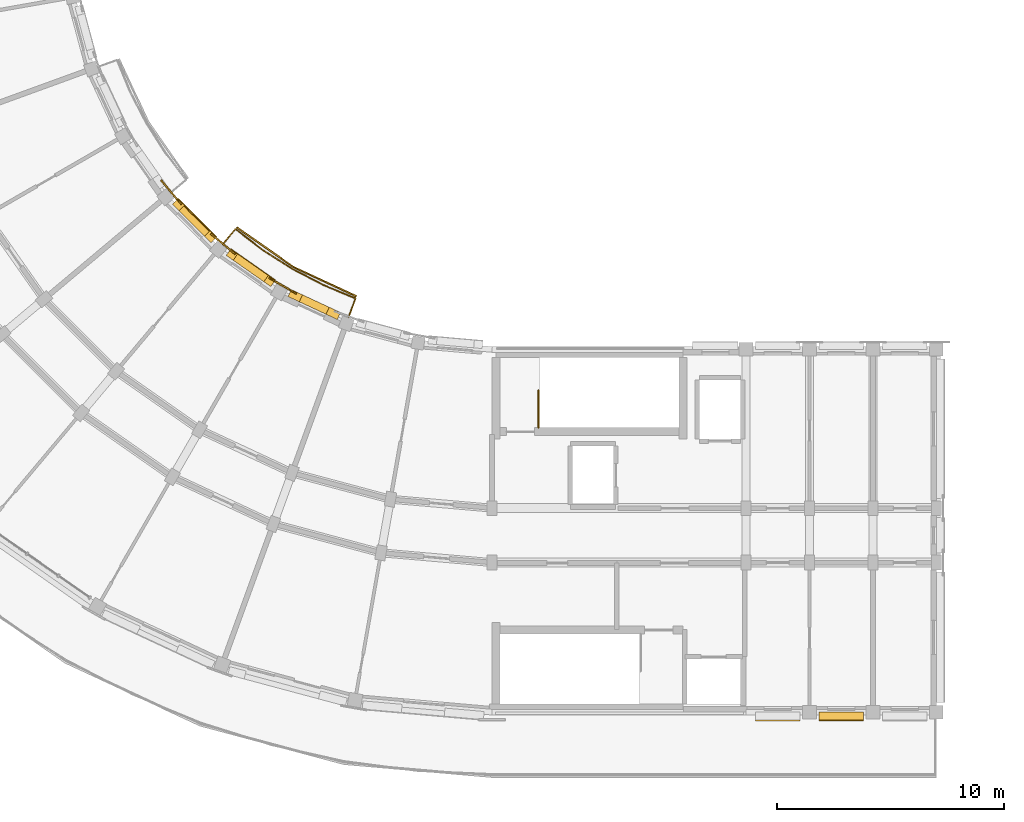
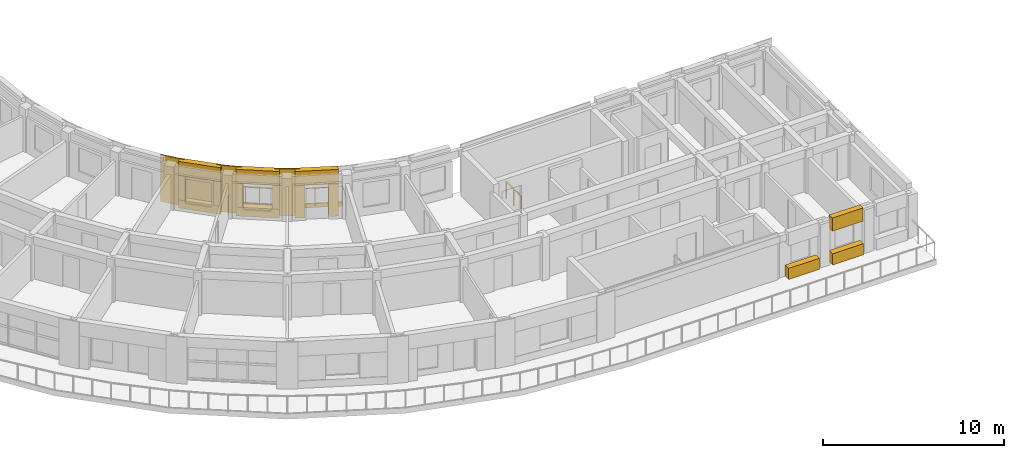
# One storey, part 37 of 53: 18 coverings, 2 railings, 1 shading device.
"""IFC4 building model written with IfcOpenShell, lengths in metres."""

from ifc_helpers import new_model, si_unit, direction, frame, origin, origin_2d, place, context, subcontext, project, spatial, polyline, rectangle, circle, outline, extrude, material, layer, layer_set, type_object, element, save


model = new_model("IFC4")

# Units and contexts
model_context = context("Model", 3, precision=1e-05, world=origin(), true_north=direction((0.0, 1.0)))
body_context = subcontext(model_context, "Body", "Model", "MODEL_VIEW")
ifc_project = project(units=[si_unit("LENGTHUNIT", "METRE"), si_unit("AREAUNIT", "SQUARE_METRE"), si_unit("VOLUMEUNIT", "CUBIC_METRE"), si_unit("PLANEANGLEUNIT", "RADIAN"), si_unit("MASSUNIT", "GRAM", prefix="KILO")], contexts=[model_context])

# Site, building, storey
site_placement = place(None, origin())
site = spatial("IfcSite", under=ifc_project, at=site_placement, CompositionType="ELEMENT")
building_placement = place(site_placement, origin())
building = spatial("IfcBuilding", under=site, at=building_placement, Name="Kiranvali Square Residences", CompositionType="ELEMENT")
storey_placement = place(building_placement, frame((0.0, 0.0, 30.75)))
storey = spatial("IfcBuildingStorey", under=building, at=storey_placement, Name="L09", CompositionType="ELEMENT", Elevation=30.75)

# Coverings
ifc_material_1 = material(Name="Carved Porbandar limestone classical entablature and cornice", Category="masonry")
ifc_layer_1 = layer(ifc_material_1, 0.06201171875)
ifc_layer_set_1 = layer_set([ifc_layer_1], Name="Carved Porbandar limestone classical entablature and cornice")
covering_type_1 = type_object("IfcCoveringType", Name="COV-CLAD-GBAL", PredefinedType="CLADDING", material=ifc_layer_set_1)
covering_1_placement = place(storey_placement, frame((0.0, 0.0, -0.219970703125)))
element("IfcCovering", 1, at=covering_1_placement, inside=storey, type_object=covering_type_1, Name="Block C L09 garden balcony limestone fascia 1", PredefinedType="CLADDING", context=body_context, shape_type="SweptSolid", body=[
    extrude(outline(polyline([(42.221435546875, 31.774169921875), (39.4599609375, 33.061767578125), (36.964111328125, 34.8095703125), (36.92041015625, 34.757568359375), (39.426025390625, 33.0029296875), (42.1982421875, 31.710205078125), (42.221435546875, 31.774169921875)])), origin(), (0.0, 0.0, 1.0), 0.27001953125),
])
ifc_material_2 = material(Name="Honed Porbandar limestone ashlar facade cladding", Category="masonry")
ifc_layer_2 = layer(ifc_material_2, 0.3798828125)
ifc_layer_set_2 = layer_set([ifc_layer_2], Name="Honed Porbandar limestone ashlar facade cladding")
covering_type_2 = type_object("IfcCoveringType", Name="COV-CLAD-JAMB", PredefinedType="CLADDING", material=ifc_layer_set_2)
covering_2_placement = place(storey_placement, origin())
element("IfcCovering", 2, at=covering_2_placement, inside=storey, type_object=covering_type_2, Name="L09 deep limestone window jamb reveal C-L09-GDN-02.L", PredefinedType="CLADDING", context=body_context, shape_type="SweptSolid", body=[
    extrude(outline(polyline([(41.514892578125, 31.02783203125), (41.017822265625, 31.259765625), (40.874267578125, 30.951904296875), (41.37158203125, 30.72021484375), (41.514892578125, 31.02783203125)])), origin(), (0.0, 0.0, 1.0), 2.179931640625),
])
covering_3_placement = place(storey_placement, origin())
element("IfcCovering", 3, at=covering_3_placement, inside=storey, type_object=covering_type_2, Name="L09 deep limestone window jamb reveal C-L09-GDN-02.R", PredefinedType="CLADDING", context=body_context, shape_type="SweptSolid", body=[
    extrude(outline(polyline([(39.839599609375, 31.80908203125), (39.342529296875, 32.041015625), (39.198974609375, 31.733154296875), (39.696044921875, 31.50146484375), (39.839599609375, 31.80908203125)])), origin(), (0.0, 0.0, 1.0), 2.179931640625),
])
covering_4_placement = place(storey_placement, frame((0.0, 0.0, 0.60205078125)))
element("IfcCovering", 4, at=covering_4_placement, inside=storey, type_object=covering_type_2, Name="L09 deep limestone window jamb reveal C-L09-GDN-03.L", PredefinedType="CLADDING", context=body_context, shape_type="SweptSolid", body=[
    extrude(outline(polyline([(38.634521484375, 32.44970703125), (38.32861328125, 32.663818359375), (38.1337890625, 32.3857421875), (38.43994140625, 32.171630859375), (38.634521484375, 32.44970703125)])), origin(), (0.0, 0.0, 1.0), 1.599853515625),
])
covering_5_placement = place(storey_placement, frame((0.0, 0.0, 0.60205078125)))
element("IfcCovering", 5, at=covering_5_placement, inside=storey, type_object=covering_type_2, Name="L09 deep limestone window jamb reveal C-L09-GDN-03.R", PredefinedType="CLADDING", context=body_context, shape_type="SweptSolid", body=[
    extrude(outline(polyline([(36.97705078125, 33.6103515625), (36.671142578125, 33.824462890625), (36.476318359375, 33.54638671875), (36.7822265625, 33.33203125), (36.97705078125, 33.6103515625)])), origin(), (0.0, 0.0, 1.0), 1.599853515625),
])
covering_6_placement = place(storey_placement, frame((0.0, 0.0, 0.552001953125)))
element("IfcCovering", 6, at=covering_6_placement, inside=storey, type_object=covering_type_2, Name="L09 deep limestone window jamb reveal C-L09-GDN-04.L", PredefinedType="CLADDING", context=body_context, shape_type="SweptSolid", body=[
    extrude(outline(polyline([(36.044921875, 34.349853515625), (35.76318359375, 34.631591796875), (35.52294921875, 34.3916015625), (35.804931640625, 34.10986328125), (36.044921875, 34.349853515625)])), origin(), (0.0, 0.0, 1.0), 1.64990234375),
])
covering_7_placement = place(storey_placement, frame((0.0, 0.0, 0.552001953125)))
element("IfcCovering", 7, at=covering_7_placement, inside=storey, type_object=covering_type_2, Name="L09 deep limestone window jamb reveal C-L09-GDN-04.R", PredefinedType="CLADDING", context=body_context, shape_type="SweptSolid", body=[
    extrude(outline(polyline([(34.631591796875, 35.76318359375), (34.349853515625, 36.044921875), (34.10986328125, 35.804931640625), (34.3916015625, 35.52294921875), (34.631591796875, 35.76318359375)])), origin(), (0.0, 0.0, 1.0), 1.64990234375),
])
ifc_layer_3 = layer(ifc_material_2, 0.050048828125)
ifc_layer_set_3 = layer_set([ifc_layer_3], Name="Honed Porbandar limestone ashlar facade cladding")
covering_type_3 = type_object("IfcCoveringType", Name="COV-CLAD-PIER-IN", PredefinedType="CLADDING", material=ifc_layer_set_3)
covering_8_placement = place(storey_placement, frame((0.0, 0.0, 0.0048828125)))
element("IfcCovering", 8, at=covering_8_placement, inside=storey, type_object=covering_type_3, Name="L09 Classical garden courtyard pilaster CLAD-PRIN-C-L09-A03", PredefinedType="CLADDING", context=body_context, shape_type="SweptSolid", body=[
    extrude(outline(polyline([(39.59033203125, 31.887451171875), (38.377685546875, 32.58740234375), (38.343994140625, 32.529052734375), (39.556396484375, 31.828857421875), (39.59033203125, 31.887451171875)])), origin(), (0.0, 0.0, 1.0), 3.14013671875),
])
covering_9_placement = place(storey_placement, frame((0.0, 0.0, 0.0048828125)))
element("IfcCovering", 9, at=covering_9_placement, inside=storey, type_object=covering_type_3, Name="L09 Classical garden courtyard pilaster CLAD-PRIN-C-L09-A04", PredefinedType="CLADDING", context=body_context, shape_type="SweptSolid", body=[
    extrude(outline(polyline([(36.888427734375, 33.63037109375), (35.81591796875, 34.5302734375), (35.7724609375, 34.478515625), (36.844970703125, 33.57861328125), (36.888427734375, 33.63037109375)])), origin(), (0.0, 0.0, 1.0), 3.14013671875),
])
covering_10_placement = place(storey_placement, frame((0.0, 0.0, 0.0048828125)))
element("IfcCovering", 10, at=covering_10_placement, inside=storey, type_object=covering_type_3, Name="L09 Classical garden courtyard pilaster CLAD-PRIN-C-L09-A05", PredefinedType="CLADDING", context=body_context, shape_type="SweptSolid", body=[
    extrude(outline(polyline([(34.5302734375, 35.81591796875), (33.63037109375, 36.888427734375), (33.57861328125, 36.844970703125), (34.478515625, 35.7724609375), (34.5302734375, 35.81591796875)])), origin(), (0.0, 0.0, 1.0), 3.14013671875),
])
ifc_layer_4 = layer(ifc_material_2, 0.360107421875)
ifc_layer_set_4 = layer_set([ifc_layer_4], Name="Honed Porbandar limestone ashlar facade cladding")
covering_type_4 = type_object("IfcCoveringType", Name="COV-CLAD-WALL", PredefinedType="CLADDING", material=ifc_layer_set_4)
covering_11_placement = place(storey_placement, frame((0.0, 0.0, 2.179931640625)))
element("IfcCovering", 11, at=covering_11_placement, inside=storey, type_object=covering_type_4, Name="L09 light limestone spandrel lintel C-L09-GDN-02", PredefinedType="CLADDING", context=body_context, shape_type="SweptSolid", body=[
    extrude(outline(polyline([(41.514892578125, 31.02783203125), (39.342529296875, 32.041015625), (39.198974609375, 31.733154296875), (41.37158203125, 30.72021484375), (41.514892578125, 31.02783203125)])), origin(), (0.0, 0.0, 1.0), 0.965087890625),
])
covering_12_placement = place(storey_placement, frame((0.0, 0.0, 2.201904296875)))
element("IfcCovering", 12, at=covering_12_placement, inside=storey, type_object=covering_type_4, Name="L09 light limestone spandrel lintel C-L09-GDN-03", PredefinedType="CLADDING", context=body_context, shape_type="SweptSolid", body=[
    extrude(outline(polyline([(38.634521484375, 32.44970703125), (36.671142578125, 33.824462890625), (36.476318359375, 33.54638671875), (38.43994140625, 32.171630859375), (38.634521484375, 32.44970703125)])), origin(), (0.0, 0.0, 1.0), 0.943115234375),
])
covering_13_placement = place(storey_placement, frame((0.0, 0.0, 2.201904296875)))
element("IfcCovering", 13, at=covering_13_placement, inside=storey, type_object=covering_type_4, Name="L09 light limestone spandrel lintel C-L09-GDN-04", PredefinedType="CLADDING", context=body_context, shape_type="SweptSolid", body=[
    extrude(outline(polyline([(36.044921875, 34.349853515625), (34.349853515625, 36.044921875), (34.10986328125, 35.804931640625), (35.804931640625, 34.10986328125), (36.044921875, 34.349853515625)])), origin(), (0.0, 0.0, 1.0), 0.943115234375),
])
covering_14_placement = place(storey_placement, frame((0.0, 0.0, 0.0048828125)))
element("IfcCovering", 14, at=covering_14_placement, inside=storey, type_object=covering_type_4, Name="L09 limestone window sill apron C-L09-A1TO-0", PredefinedType="CLADDING", context=body_context, shape_type="SweptSolid", body=[
    extrude(outline(polyline([(59.820068359375, 13.02001953125), (61.780029296875, 13.02001953125), (61.780029296875, 13.3994140625), (59.820068359375, 13.3994140625), (59.820068359375, 13.02001953125)])), origin(), (0.0, 0.0, 1.0), 0.7470703125),
])
covering_15_placement = place(storey_placement, frame((0.0, 0.0, 2.251953125)))
element("IfcCovering", 15, at=covering_15_placement, inside=storey, type_object=covering_type_4, Name="L09 light limestone spandrel lintel C-L09-A1TO-1", PredefinedType="CLADDING", context=body_context, shape_type="SweptSolid", body=[
    extrude(outline(polyline([(62.6201171875, 13.050048828125), (64.580078125, 13.050048828125), (64.580078125, 13.3994140625), (62.6201171875, 13.3994140625), (62.6201171875, 13.050048828125)])), origin(), (0.0, 0.0, 1.0), 0.89306640625),
])
covering_16_placement = place(storey_placement, frame((0.0, 0.0, 0.0048828125)))
element("IfcCovering", 16, at=covering_16_placement, inside=storey, type_object=covering_type_4, Name="L09 limestone window sill apron C-L09-A1TO-1", PredefinedType="CLADDING", context=body_context, shape_type="SweptSolid", body=[
    extrude(outline(polyline([(62.6201171875, 13.02001953125), (64.580078125, 13.02001953125), (64.580078125, 13.3994140625), (62.6201171875, 13.3994140625), (62.6201171875, 13.02001953125)])), origin(), (0.0, 0.0, 1.0), 0.7470703125),
])
ifc_layer_5 = layer(ifc_material_2, 0.2900390625)
ifc_layer_set_5 = layer_set([ifc_layer_5], Name="Honed Porbandar limestone ashlar facade cladding")
covering_type_5 = type_object("IfcCoveringType", Name="COV-CLAD-WALL-IN", PredefinedType="CLADDING", material=ifc_layer_set_5)
covering_17_placement = place(storey_placement, frame((0.0, 0.0, 0.0048828125)))
element("IfcCovering", 17, at=covering_17_placement, inside=storey, type_object=covering_type_5, Name="L09 limestone window sill apron C-L09-GDN-03", PredefinedType="CLADDING", context=body_context, shape_type="SweptSolid", body=[
    extrude(outline(polyline([(38.65185546875, 32.47412109375), (36.688232421875, 33.84912109375), (36.476318359375, 33.54638671875), (38.43994140625, 32.171630859375), (38.65185546875, 32.47412109375)])), origin(), (0.0, 0.0, 1.0), 0.59716796875),
])
covering_18_placement = place(storey_placement, frame((0.0, 0.0, 0.0048828125)))
element("IfcCovering", 18, at=covering_18_placement, inside=storey, type_object=covering_type_5, Name="L09 limestone window sill apron C-L09-GDN-04", PredefinedType="CLADDING", context=body_context, shape_type="SweptSolid", body=[
    extrude(outline(polyline([(36.066162109375, 34.37109375), (34.37109375, 36.066162109375), (34.10986328125, 35.804931640625), (35.804931640625, 34.10986328125), (36.066162109375, 34.37109375)])), origin(), (0.0, 0.0, 1.0), 0.547119140625),
])

# Railings
ifc_material_3 = material(Name="Powder-coated architectural bronze balustrade", Category="steel")
railing_type_1 = type_object("IfcRailingType", Name="RL-BAL-GOLD-1200", PredefinedType="BALUSTRADE", material=ifc_material_3)
railing_1_placement = place(storey_placement, frame((41.78369140625, 30.5712890625, 0.0)))
element("IfcRailing", 19, at=railing_1_placement, inside=storey, type_object=railing_type_1, Name="Block C L09 garden balcony gold balustrade 1", PredefinedType="BALUSTRADE", context=body_context, shape_type="SweptSolid", body=[
    extrude(circle(Radius=0.02392578125, at=origin_2d()), frame((0.0, 0.0, 1.17578125), z_axis=(0.341964618562, 0.939712828289, 0.0), x_axis=(-0.939712828289, 0.341964618562, 0.0)), (0.0, 0.0, 1.0), 1.150146484375),
    extrude(circle(Radius=0.02392578125, at=origin_2d()), frame((0.393310546875, 1.080810546875, 1.17578125), z_axis=(-0.923892883829, 0.382651197843, 0.0), x_axis=(-0.382651197843, -0.923892883829, 0.0)), (0.0, 0.0, 1.0), 1.536376953125),
    extrude(circle(Radius=0.02392578125, at=origin_2d()), frame((-1.026123046875, 1.668701171875, 1.17578125), z_axis=(-0.887029366154, 0.461713009976, 0.0), x_axis=(-0.461713009976, -0.887029366154, 0.0)), (0.0, 0.0, 1.0), 1.5361328125),
    extrude(circle(Radius=0.02392578125, at=origin_2d()), frame((-2.388671875, 2.3779296875, 1.17578125), z_axis=(-0.843386539688, 0.537307309343, 0.0), x_axis=(-0.537307309343, -0.843386539688, 0.0)), (0.0, 0.0, 1.0), 1.5361328125),
    extrude(circle(Radius=0.02392578125, at=origin_2d()), frame((-3.684326171875, 3.203369140625, 1.17578125), z_axis=(-0.793314680996, 0.608811807471, 0.0), x_axis=(-0.608811807471, -0.793314680996, 0.0)), (0.0, 0.0, 1.0), 1.536376953125),
    extrude(circle(Radius=0.02392578125, at=origin_2d()), frame((-4.903076171875, 4.138671875, 1.17578125), z_axis=(-0.642853454051, -0.765989188314, 0.0), x_axis=(0.765989188314, -0.642853454051, 0.0)), (0.0, 0.0, 1.0), 1.14990234375),
    extrude(circle(Radius=0.02099609375, at=origin_2d()), origin(), (0.0, 0.0, 1.0), 1.15185546875),
    extrude(circle(Radius=0.02099609375, at=origin_2d()), frame((0.393310546875, 1.080810546875, 0.0)), (0.0, 0.0, 1.0), 1.15185546875),
    extrude(circle(Radius=0.02099609375, at=origin_2d()), frame((-0.31640625, 1.374755859375, 0.0)), (0.0, 0.0, 1.0), 1.15185546875),
    extrude(circle(Radius=0.02099609375, at=origin_2d()), frame((-1.026123046875, 1.668701171875, 0.0)), (0.0, 0.0, 1.0), 1.15185546875),
    extrude(circle(Radius=0.02099609375, at=origin_2d()), frame((-1.70751953125, 2.0234375, 0.0)), (0.0, 0.0, 1.0), 1.15185546875),
    extrude(circle(Radius=0.02099609375, at=origin_2d()), frame((-2.388671875, 2.3779296875, 0.0)), (0.0, 0.0, 1.0), 1.15185546875),
    extrude(circle(Radius=0.02099609375, at=origin_2d()), frame((-3.03662109375, 2.79052734375, 0.0)), (0.0, 0.0, 1.0), 1.15185546875),
    extrude(circle(Radius=0.02099609375, at=origin_2d()), frame((-3.684326171875, 3.203369140625, 0.0)), (0.0, 0.0, 1.0), 1.15185546875),
    extrude(circle(Radius=0.02099609375, at=origin_2d()), frame((-4.293701171875, 3.6708984375, 0.0)), (0.0, 0.0, 1.0), 1.15185546875),
    extrude(circle(Radius=0.02099609375, at=origin_2d()), frame((-4.903076171875, 4.138671875, 0.0)), (0.0, 0.0, 1.0), 1.15185546875),
    extrude(circle(Radius=0.02099609375, at=origin_2d()), frame((-5.642333984375, 3.2578125, 0.0)), (0.0, 0.0, 1.0), 1.15185546875),
])
railing_type_2 = type_object("IfcRailingType", Name="RL-ST-GUARD-1200", PredefinedType="GUARDRAIL", material=ifc_material_3)
railing_2_placement = place(storey_placement, frame((50.25, 25.949951171875, 0.0)))
element("IfcRailing", 20, at=railing_2_placement, inside=storey, type_object=railing_type_2, Name="L09 ST-C2 top well guard 1", PredefinedType="GUARDRAIL", context=body_context, shape_type="SweptSolid", body=[
    extrude(circle(Radius=0.02392578125, at=origin_2d()), frame((0.0, 0.0, 1.1259765625), z_axis=(0.0, 1.0, 0.0), x_axis=(-1.0, 0.0, 0.0)), (0.0, 0.0, 1.0), 1.650146484375),
    extrude(circle(Radius=0.02099609375, at=origin_2d()), origin(), (0.0, 0.0, 1.0), 1.101806640625),
    extrude(circle(Radius=0.02099609375, at=origin_2d()), frame((0.0, 0.8251953125, 0.0)), (0.0, 0.0, 1.0), 1.101806640625),
    extrude(circle(Radius=0.02099609375, at=origin_2d()), frame((0.0, 1.650146484375, 0.0)), (0.0, 0.0, 1.0), 1.101806640625),
])

# Shading device
ifc_material_4 = material(Name="Pierced buff sandstone architectural mashrabiya solar screen", Category="masonry")
shading_device_type = type_object("IfcShadingDeviceType", Name="SHD-JALI-1600", PredefinedType="JALOUSIE", material=ifc_material_4)
shading_device_placement = place(storey_placement, frame((35.183349609375, 35.183349609375, 0.552001953125), z_axis=(0.0, 0.0, 1.0), x_axis=(-0.707106781187, 0.707106781187, 0.0)))
element("IfcShadingDevice", 21, at=shading_device_placement, inside=storey, type_object=shading_device_type, Name="L09 carved stone Mashrabiya screen C-L09-GDN-04", PredefinedType="JALOUSIE", context=body_context, shape_type="SweptSolid", body=[
    extrude(rectangle(XDim=1.5, YDim=0.044921875, at=origin_2d()), origin(), (0.0, 0.0, 1.0), 1.64990234375),
])

save(model, "model.ifc")
